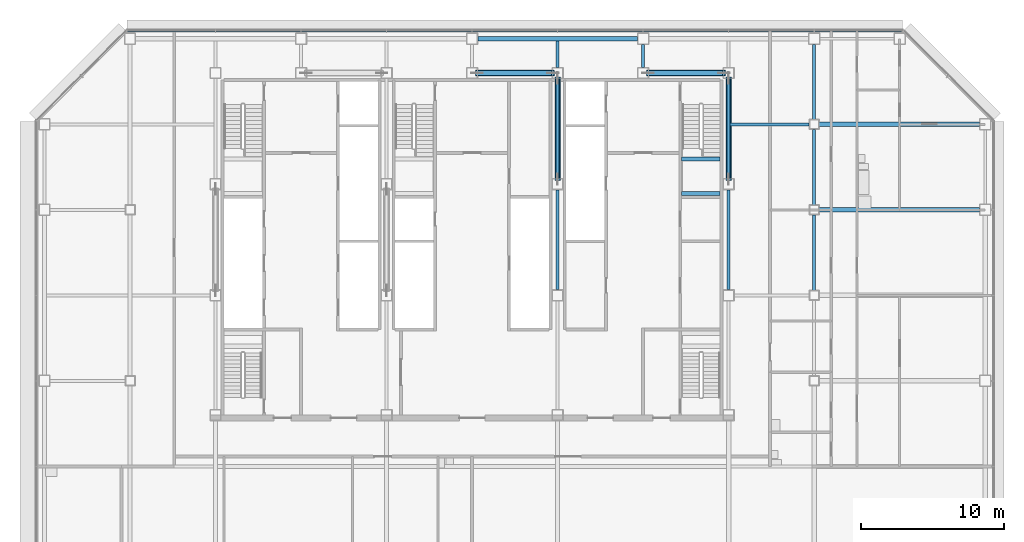
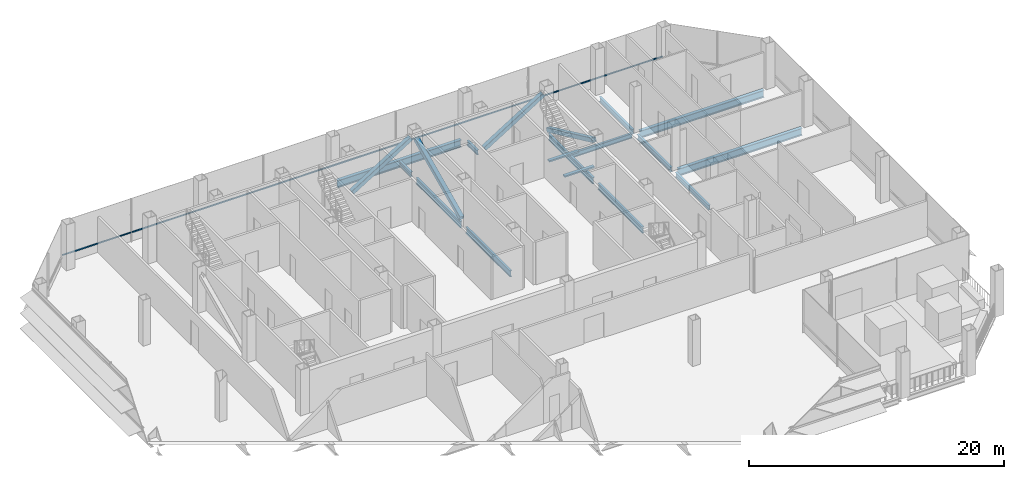
# One storey, part 13 of 28: 15 beams, 5 members, 1 element without a shape of its own.
"""IFC4 building model written with IfcOpenShell, lengths in metres."""

from ifc_helpers import new_model, si_unit, direction, frame, origin, origin_2d, place, context, subcontext, project, spatial, rectangle, hollow_rectangle, i_section, extrude, material, material_profile, profile_set, type_object, element, aggregate, save


model = new_model("IFC4")

# Units and contexts
model_context = context("Model", 3, precision=1e-05, world=origin(), true_north=direction((0.0, 1.0)))
body_context = subcontext(model_context, "Body", "Model", "MODEL_VIEW")
ifc_project = project(units=[si_unit("LENGTHUNIT", "METRE"), si_unit("AREAUNIT", "SQUARE_METRE"), si_unit("VOLUMEUNIT", "CUBIC_METRE"), si_unit("PLANEANGLEUNIT", "RADIAN"), si_unit("MASSUNIT", "GRAM", prefix="KILO")], contexts=[model_context])

# Site, building, storey
site_placement = place(None, origin())
site = spatial("IfcSite", under=ifc_project, at=site_placement, CompositionType="ELEMENT")
building_placement = place(site_placement, origin())
building = spatial("IfcBuilding", under=site, at=building_placement, Name="Sorahane Residences", CompositionType="ELEMENT")
storey_placement = place(building_placement, frame((0.0, 0.0, 134.0)))
storey = spatial("IfcBuildingStorey", under=building, at=storey_placement, Name="L30", CompositionType="ELEMENT", Elevation=134.0)

# Members
ifc_material_1 = material(Name="Steel Q355B", Category="steel")
ifc_material_profile_1 = material_profile(ifc_material_1, hollow_rectangle(XDim=0.39990234375, YDim=0.39990234375, WallThickness=0.02001953125, InnerFilletRadius=0.010009765625, OuterFilletRadius=0.030029296875, at=origin_2d()), Name="RHS 400x400x20")
ifc_profile_set_1 = profile_set([ifc_material_profile_1], Name="Steel Q355B")
member_type_1 = type_object("IfcMemberType", Name="Core brace RHS 400x400x20 Q355B", PredefinedType="BRACE", material=ifc_profile_set_1)
for number, where, z_axis, x_axis, name in (
    (1, (24.33642578125, 45.60009765625, 0.16015625), (0.847989570643, 0.0, 0.530012913127), (0.0, 1.0, 0.0), "Core brace L30 y45.6-4"),
    (2, (36.33642578125, 45.60009765625, 0.16015625), (0.847989570643, 0.0, 0.530012913127), (0.0, 1.0, 0.0), "Core brace L30 y45.6-6"),
):
    element("IfcMember", number, at=place(storey_placement, frame(where, z_axis=z_axis, x_axis=x_axis)), inside=storey, type_object=member_type_1, Name=name, PredefinedType="BRACE", context=body_context, shape_type="SweptSolid", body=[
        extrude(hollow_rectangle(XDim=0.39990234375, YDim=0.39990234375, WallThickness=0.02001953125, InnerFilletRadius=0.010009765625, OuterFilletRadius=0.030029296875, at=origin_2d()), origin(), (0.0, 0.0, 1.0), 6.281982421875),
    ])
for number, where, z_axis, x_axis, name in (
    (3, (42.0, 45.25048828125, 0.176513671875), (0.0, -0.907011520025, 0.421105809201), (1.0, 0.0, 0.0), "Core brace L30 x42-3"),
    (4, (30.0, 38.1494140625, 0.176513671875), (0.0, 0.907011520025, 0.421105809201), (-1.0, 0.0, 0.0), "Core brace L30 x30-2"),
):
    element("IfcMember", number, at=place(storey_placement, frame(where, z_axis=z_axis, x_axis=x_axis)), inside=storey, type_object=member_type_1, Name=name, PredefinedType="BRACE", context=body_context, shape_type="SweptSolid", body=[
        extrude(hollow_rectangle(XDim=0.39990234375, YDim=0.39990234375, WallThickness=0.02001953125, InnerFilletRadius=0.010009765625, OuterFilletRadius=0.030029296875, at=origin_2d()), origin(), (0.0, 0.0, 1.0), 7.8291015625),
    ])

# Curtain wall, member
ifc_material_2 = material(Name="Dark low-e glass and black anodised aluminium", Category="aluminium")
curtain_wall_type = type_object("IfcCurtainWallType", Name="Curtain wall CW-1 Typical unitised wall", PredefinedType="NOTDEFINED", material=ifc_material_2)
curtain_wall_placement = place(storey_placement, origin())
curtain_wall = element("IfcCurtainWall", 5, at=curtain_wall_placement, inside=storey, type_object=curtain_wall_type, Name="CW-1 curtain wall L30 N1", PredefinedType="NOTDEFINED")
ifc_material_3 = material(Name="Black anodised aluminium", Category="aluminium")
ifc_material_profile_2 = material_profile(ifc_material_3, rectangle(XDim=0.10009765625, YDim=0.06005859375, at=origin_2d()), Name="Curtain wall transom CW-1 black anodised aluminium 60x100")
ifc_profile_set_2 = profile_set([ifc_material_profile_2], Name="Black anodised aluminium")
member_type_2 = type_object("IfcMemberType", Name="Curtain wall transom CW-1 black anodised aluminium 60x100", PredefinedType="USERDEFINED", material=ifc_profile_set_2)
member_placement = place(storey_placement, frame((54.198486328125, 48.530029296875, 0.89990234375), z_axis=(-1.0, 0.0, 0.0), x_axis=(0.0, -1.0, 0.0)))
member = element("IfcMember", 6, at=member_placement, type_object=member_type_2, Name="CW-1 transom L30 N1", ObjectType="TRANSOM", PredefinedType="USERDEFINED", context=body_context, shape_type="SweptSolid", body=[
    extrude(rectangle(XDim=0.10009765625, YDim=0.06005859375, at=origin_2d()), origin(), (0.0, 0.0, 1.0), 54.39697265625),
])
aggregate(curtain_wall, [member])

# Beams
ifc_material_4 = material(Name="Concrete C40", Category="concrete")
ifc_material_profile_3 = material_profile(ifc_material_4, rectangle(XDim=0.300048828125, YDim=0.139892578125, at=origin_2d()), Name="300x140")
ifc_profile_set_3 = profile_set([ifc_material_profile_3], Name="Concrete C40")
beam_type_1 = type_object("IfcBeamType", Name="RC landing beam 300 x 140 Concrete C40", PredefinedType="BEAM", material=ifc_profile_set_3)
for number, where, z_axis, x_axis, name in (
    (7, (38.699951171875, 37.14990234375, 1.7607421875), (1.0, 0.0, 0.0), (0.0, 1.0, 0.0), "Landing beam"),
    (8, (38.699951171875, 39.570068359375, 1.7607421875), (1.0, 0.0, 0.0), (0.0, 1.0, 0.0), "Landing beam"),
):
    element("IfcBeam", number, at=place(storey_placement, frame(where, z_axis=z_axis, x_axis=x_axis)), inside=storey, type_object=beam_type_1, Name=name, PredefinedType="BEAM", context=body_context, shape_type="SweptSolid", body=[
        extrude(rectangle(XDim=0.300048828125, YDim=0.139892578125, at=origin_2d()), origin(), (0.0, 0.0, 1.0), 2.699951171875),
    ])
ifc_material_5 = material(Name="Steel Q355B", Category="steel")
ifc_material_profile_4 = material_profile(ifc_material_5, i_section(OverallWidth=0.199951171875, OverallDepth=0.449951171875, WebThickness=0.009033203125, FlangeThickness=0.013916015625, FilletRadius=0.02001953125, at=origin_2d()), Name="HN 450x200x9x14")
ifc_profile_set_4 = profile_set([ifc_material_profile_4], Name="Steel Q355B")
beam_type_2 = type_object("IfcBeamType", Name="Steel floor beam HN 450x200x9x14 Q355B", PredefinedType="BEAM", material=ifc_profile_set_4)
beam_1_placement = place(storey_placement, frame((30.0, 46.0, -0.405029296875), z_axis=(0.0, 1.0, 0.0), x_axis=(-1.0, 0.0, 0.0)))
element("IfcBeam", 9, at=beam_1_placement, inside=storey, type_object=beam_type_2, Name="Beam L30 049", PredefinedType="BEAM", context=body_context, shape_type="SweptSolid", body=[
    extrude(i_section(OverallWidth=0.199951171875, OverallDepth=0.449951171875, WebThickness=0.009033203125, FlangeThickness=0.013916015625, FilletRadius=0.02001953125, at=origin_2d()), origin(), (0.0, 0.0, 1.0), 1.85009765625),
])
beam_2_placement = place(storey_placement, frame((36.0, 46.0, -0.405029296875), z_axis=(0.0, 1.0, 0.0), x_axis=(-1.0, 0.0, 0.0)))
element("IfcBeam", 10, at=beam_2_placement, inside=storey, type_object=beam_type_2, Name="Beam L30 051", PredefinedType="BEAM", context=body_context, shape_type="SweptSolid", body=[
    extrude(i_section(OverallWidth=0.199951171875, OverallDepth=0.449951171875, WebThickness=0.009033203125, FlangeThickness=0.013916015625, FilletRadius=0.02001953125, at=origin_2d()), origin(), (0.0, 0.0, 1.0), 1.60009765625),
])
for number, where, z_axis, x_axis, name in (
    (11, (48.0, 30.35009765625, -0.405029296875), (0.0, 1.0, 0.0), (-1.0, 0.0, 0.0), "Beam L30 060"),
    (12, (48.0, 36.35009765625, -0.405029296875), (0.0, 1.0, 0.0), (-1.0, 0.0, 0.0), "Beam L30 061"),
):
    element("IfcBeam", number, at=place(storey_placement, frame(where, z_axis=z_axis, x_axis=x_axis)), inside=storey, type_object=beam_type_2, Name=name, PredefinedType="BEAM", context=body_context, shape_type="SweptSolid", body=[
        extrude(i_section(OverallWidth=0.199951171875, OverallDepth=0.449951171875, WebThickness=0.009033203125, FlangeThickness=0.013916015625, FilletRadius=0.02001953125, at=origin_2d()), origin(), (0.0, 0.0, 1.0), 5.2998046875),
    ])
beam_3_placement = place(storey_placement, frame((48.0, 42.35009765625, -0.405029296875), z_axis=(0.0, 1.0, 0.0), x_axis=(-1.0, 0.0, 0.0)))
element("IfcBeam", 13, at=beam_3_placement, inside=storey, type_object=beam_type_2, Name="Beam L30 062", PredefinedType="BEAM", context=body_context, shape_type="SweptSolid", body=[
    extrude(i_section(OverallWidth=0.199951171875, OverallDepth=0.449951171875, WebThickness=0.009033203125, FlangeThickness=0.013916015625, FilletRadius=0.02001953125, at=origin_2d()), origin(), (0.0, 0.0, 1.0), 5.25),
])
beam_4_placement = place(storey_placement, frame((42.10009765625, 42.0, -0.405029296875), z_axis=(1.0, 0.0, 0.0), x_axis=(0.0, 1.0, 0.0)))
element("IfcBeam", 14, at=beam_4_placement, inside=storey, type_object=beam_type_2, Name="Beam L30 089", PredefinedType="BEAM", context=body_context, shape_type="SweptSolid", body=[
    extrude(i_section(OverallWidth=0.199951171875, OverallDepth=0.449951171875, WebThickness=0.009033203125, FlangeThickness=0.013916015625, FilletRadius=0.02001953125, at=origin_2d()), origin(), (0.0, 0.0, 1.0), 5.5498046875),
])
ifc_material_6 = material(Name="Steel Q355B", Category="steel")
ifc_material_profile_5 = material_profile(ifc_material_6, i_section(OverallWidth=0.199951171875, OverallDepth=0.60009765625, WebThickness=0.010986328125, FlangeThickness=0.01708984375, FilletRadius=0.02392578125, at=origin_2d()), Name="HN 600x200x11x17")
ifc_profile_set_5 = profile_set([ifc_material_profile_5], Name="Steel Q355B")
beam_type_3 = type_object("IfcBeamType", Name="Steel floor beam HN 600x200x11x17 Q355B", PredefinedType="BEAM", material=ifc_profile_set_5)
for number, where, z_axis, x_axis, name in (
    (15, (30.0, 30.39990234375, -0.47998046875), (0.0, 1.0, 0.0), (-1.0, 0.0, 0.0), "Beam L30 047"),
    (16, (30.0, 38.199951171875, -0.47998046875), (0.0, 1.0, 0.0), (-1.0, 0.0, 0.0), "Beam L30 048"),
    (17, (42.0, 30.39990234375, -0.47998046875), (0.0, 1.0, 0.0), (-1.0, 0.0, 0.0), "Beam L30 054"),
    (18, (42.0, 38.199951171875, -0.47998046875), (0.0, 1.0, 0.0), (-1.0, 0.0, 0.0), "Beam L30 055"),
):
    element("IfcBeam", number, at=place(storey_placement, frame(where, z_axis=z_axis, x_axis=x_axis)), inside=storey, type_object=beam_type_3, Name=name, PredefinedType="BEAM", context=body_context, shape_type="SweptSolid", body=[
        extrude(i_section(OverallWidth=0.199951171875, OverallDepth=0.60009765625, WebThickness=0.010986328125, FlangeThickness=0.01708984375, FilletRadius=0.02392578125, at=origin_2d()), origin(), (0.0, 0.0, 1.0), 7.0),
    ])
ifc_material_7 = material(Name="Steel Q355B", Category="steel")
ifc_material_profile_6 = material_profile(ifc_material_7, i_section(OverallWidth=0.300048828125, OverallDepth=0.699951171875, WebThickness=0.012939453125, FlangeThickness=0.02392578125, FilletRadius=0.028076171875, at=origin_2d()), Name="HN 700x300x13x24")
ifc_profile_set_6 = profile_set([ifc_material_profile_6], Name="Steel Q355B")
beam_type_4 = type_object("IfcBeamType", Name="Steel floor beam HN 700x300x13x24 Q355B", PredefinedType="BEAM", material=ifc_profile_set_6)
beam_5_placement = place(storey_placement, frame((48.35009765625, 36.0, -0.530029296875), z_axis=(1.0, 0.0, 0.0), x_axis=(0.0, 1.0, 0.0)))
element("IfcBeam", 19, at=beam_5_placement, inside=storey, type_object=beam_type_4, Name="Beam L30 014", PredefinedType="BEAM", context=body_context, shape_type="SweptSolid", body=[
    extrude(i_section(OverallWidth=0.300048828125, OverallDepth=0.699951171875, WebThickness=0.012939453125, FlangeThickness=0.02392578125, FilletRadius=0.028076171875, at=origin_2d()), origin(), (0.0, 0.0, 1.0), 11.25),
])
beam_6_placement = place(storey_placement, frame((24.39990234375, 48.0, -0.530029296875), z_axis=(1.0, 0.0, 0.0), x_axis=(0.0, 1.0, 0.0)))
element("IfcBeam", 20, at=beam_6_placement, inside=storey, type_object=beam_type_4, Name="Beam L30 017", PredefinedType="BEAM", context=body_context, shape_type="SweptSolid", body=[
    extrude(i_section(OverallWidth=0.300048828125, OverallDepth=0.699951171875, WebThickness=0.012939453125, FlangeThickness=0.02392578125, FilletRadius=0.028076171875, at=origin_2d()), origin(), (0.0, 0.0, 1.0), 11.2001953125),
])
beam_7_placement = place(storey_placement, frame((48.35009765625, 42.0, -0.530029296875), z_axis=(1.0, 0.0, 0.0), x_axis=(0.0, 1.0, 0.0)))
element("IfcBeam", 21, at=beam_7_placement, inside=storey, type_object=beam_type_4, Name="Beam L30 090", PredefinedType="BEAM", context=body_context, shape_type="SweptSolid", body=[
    extrude(i_section(OverallWidth=0.300048828125, OverallDepth=0.699951171875, WebThickness=0.012939453125, FlangeThickness=0.02392578125, FilletRadius=0.028076171875, at=origin_2d()), origin(), (0.0, 0.0, 1.0), 11.25),
])

save(model, "model.ifc")
